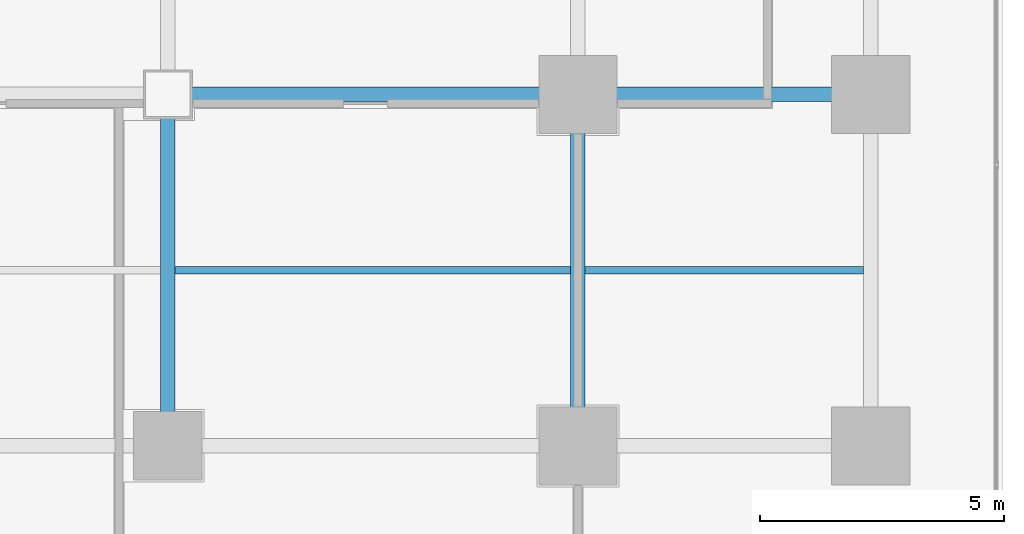
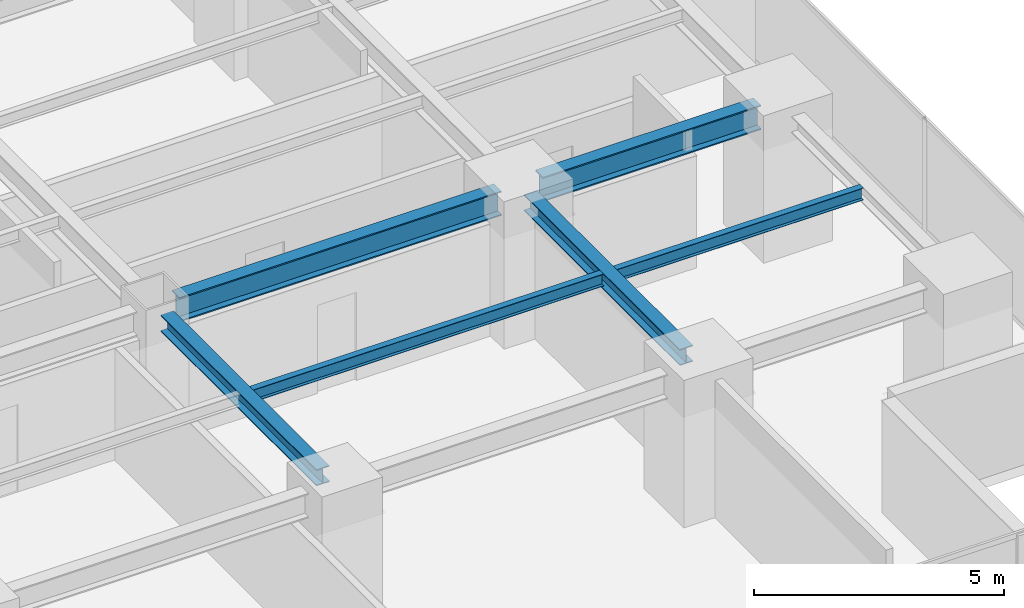
# One storey, part 13 of 35: 6 beams.
"""IFC4 building model written with IfcOpenShell, lengths in metres."""

from ifc_helpers import new_model, si_unit, direction, frame, origin, origin_2d, place, context, subcontext, project, spatial, i_section, extrude, source, transform, mapped, material, material_profile, profile_set, type_object, element, save


model = new_model("IFC4")

# Units and contexts
model_context = context("Model", 3, precision=1e-05, world=origin(), true_north=direction((0.0, 1.0)))
body_context = subcontext(model_context, "Body", "Model", "MODEL_VIEW")
ifc_project = project(units=[si_unit("LENGTHUNIT", "METRE"), si_unit("AREAUNIT", "SQUARE_METRE"), si_unit("VOLUMEUNIT", "CUBIC_METRE"), si_unit("PLANEANGLEUNIT", "RADIAN"), si_unit("MASSUNIT", "GRAM", prefix="KILO")], contexts=[model_context])

# Site, building, storey
site_placement = place(None, origin())
site = spatial("IfcSite", under=ifc_project, at=site_placement, CompositionType="ELEMENT")
building_placement = place(site_placement, origin())
building = spatial("IfcBuilding", under=site, at=building_placement, Name="Sumidabori Civic Tower", CompositionType="ELEMENT")
storey_placement = place(building_placement, frame((0.0, 0.0, 102.800048828125)))
storey = spatial("IfcBuildingStorey", under=building, at=storey_placement, Name="L26", CompositionType="ELEMENT", Elevation=102.800048828125)

# Beams
ifc_material = material(Name="Steel SN490", Category="steel")
ifc_material_profile_1 = material_profile(ifc_material, i_section(OverallWidth=0.300048828125, OverallDepth=0.60009765625, WebThickness=0.015380859375, FlangeThickness=0.030029296875, at=origin_2d()), Name="HE 600 B")
ifc_profile_set_1 = profile_set([ifc_material_profile_1], Name="Steel SN490")
beam_type_1 = type_object("IfcBeamType", Name="BM-GIRD-600", PredefinedType="BEAM", material=ifc_profile_set_1)
shared_shape_1 = source(origin(), body_context, "Body", "SweptSolid", [
    extrude(i_section(OverallWidth=0.300048828125, OverallDepth=0.60009765625, WebThickness=0.015380859375, FlangeThickness=0.030029296875, at=origin_2d()), origin(), (0.0, 0.0, 1.0), 5.0400390625),
])
beam_1_placement = place(storey_placement, frame((17.280029296875, -10.800048828125, 3.06005859375), z_axis=(1.0, 0.0, 0.0), x_axis=(0.0, 1.0, 0.0)))
element("IfcBeam", 1, at=beam_1_placement, inside=storey, type_object=beam_type_1, Name="Primary Girder L26 GX-12", PredefinedType="BEAM", context=body_context, shape_type="MappedRepresentation", body=[
    mapped(shared_shape_1, transform((0.0, 0.0, 0.0), x_axis=(1.0, 0.0, 0.0), y_axis=(0.0, 1.0, 0.0), z_axis=(0.0, 0.0, 1.0), scale=1.0)),
])
shared_shape_2 = source(origin(), body_context, "Body", "SweptSolid", [
    extrude(i_section(OverallWidth=0.300048828125, OverallDepth=0.60009765625, WebThickness=0.015380859375, FlangeThickness=0.030029296875, at=origin_2d()), origin(), (0.0, 0.0, 1.0), 7.440185546875),
])
beam_2_placement = place(storey_placement, frame((8.8798828125, -10.800048828125, 3.06005859375), z_axis=(1.0, 0.0, 0.0), x_axis=(0.0, 1.0, 0.0)))
element("IfcBeam", 2, at=beam_2_placement, inside=storey, type_object=beam_type_1, Name="Primary Girder L26 GX-11", PredefinedType="BEAM", context=body_context, shape_type="MappedRepresentation", body=[
    mapped(shared_shape_2, transform((0.0, 0.0, 0.0), x_axis=(1.0, 0.0, 0.0), y_axis=(0.0, 1.0, 0.0), z_axis=(0.0, 0.0, 1.0), scale=1.0)),
])
ifc_material_profile_2 = material_profile(ifc_material, i_section(OverallWidth=0.300048828125, OverallDepth=0.39990234375, WebThickness=0.013427734375, FlangeThickness=0.02392578125, at=origin_2d()), Name="HE 400 B")
ifc_profile_set_2 = profile_set([ifc_material_profile_2], Name="Steel SN490")
beam_type_2 = type_object("IfcBeamType", Name="BM-GIRD-400", PredefinedType="BEAM", material=ifc_profile_set_2)
shared_shape_3 = source(origin(), body_context, "Body", "SweptSolid", [
    extrude(i_section(OverallWidth=0.300048828125, OverallDepth=0.39990234375, WebThickness=0.013427734375, FlangeThickness=0.02392578125, at=origin_2d()), origin(), (0.0, 0.0, 1.0), 6.239990234375),
])
for number, where, z_axis, x_axis, name in (
    (3, (8.39990234375, -17.52001953125, 3.159912109375), (0.0, 1.0, 0.0), (-1.0, 0.0, 0.0), "Primary Girder L26 GY-33"),
    (4, (16.800048828125, -17.52001953125, 3.159912109375), (0.0, 1.0, 0.0), (-1.0, 0.0, 0.0), "Primary Girder L26 GY-35"),
):
    element("IfcBeam", number, at=place(storey_placement, frame(where, z_axis=z_axis, x_axis=x_axis)), inside=storey, type_object=beam_type_2, Name=name, PredefinedType="BEAM", context=body_context, shape_type="MappedRepresentation", body=[
        mapped(shared_shape_3, transform((0.0, 0.0, 0.0), x_axis=(1.0, 0.0, 0.0), y_axis=(0.0, 1.0, 0.0), z_axis=(0.0, 0.0, 1.0), scale=1.0)),
    ])
ifc_material_profile_3 = material_profile(ifc_material, i_section(OverallWidth=0.14990234375, OverallDepth=0.300048828125, WebThickness=0.007080078125, FlangeThickness=0.0107421875, at=origin_2d()), Name="IPE 300")
ifc_profile_set_3 = profile_set([ifc_material_profile_3], Name="Steel SN490")
beam_type_3 = type_object("IfcBeamType", Name="BM-JST-300", PredefinedType="JOIST", material=ifc_profile_set_3)
shared_shape_4 = source(origin(), body_context, "Body", "SweptSolid", [
    extrude(i_section(OverallWidth=0.14990234375, OverallDepth=0.300048828125, WebThickness=0.007080078125, FlangeThickness=0.0107421875, at=origin_2d()), origin(), (0.0, 0.0, 1.0), 5.699951171875),
])
beam_3_placement = place(storey_placement, frame((16.949951171875, -14.39990234375, 3.2099609375), z_axis=(1.0, 0.0, 0.0), x_axis=(0.0, 1.0, 0.0)))
element("IfcBeam", 5, at=beam_3_placement, inside=storey, type_object=beam_type_3, Name="Outer Bay Floor Joist L26 JSTO-52", PredefinedType="JOIST", context=body_context, shape_type="MappedRepresentation", body=[
    mapped(shared_shape_4, transform((0.0, 0.0, 0.0), x_axis=(1.0, 0.0, 0.0), y_axis=(0.0, 1.0, 0.0), z_axis=(0.0, 0.0, 1.0), scale=1.0)),
])
shared_shape_5 = source(origin(), body_context, "Body", "SweptSolid", [
    extrude(i_section(OverallWidth=0.14990234375, OverallDepth=0.300048828125, WebThickness=0.007080078125, FlangeThickness=0.0107421875, at=origin_2d()), origin(), (0.0, 0.0, 1.0), 8.099853515625),
])
beam_4_placement = place(storey_placement, frame((8.550048828125, -14.39990234375, 3.2099609375), z_axis=(1.0, 0.0, 0.0), x_axis=(0.0, 1.0, 0.0)))
element("IfcBeam", 6, at=beam_4_placement, inside=storey, type_object=beam_type_3, Name="South Bay Floor Joist L26 JSTS-58", PredefinedType="JOIST", context=body_context, shape_type="MappedRepresentation", body=[
    mapped(shared_shape_5, transform((0.0, 0.0, 0.0), x_axis=(1.0, 0.0, 0.0), y_axis=(0.0, 1.0, 0.0), z_axis=(0.0, 0.0, 1.0), scale=1.0)),
])

save(model, "model.ifc")
